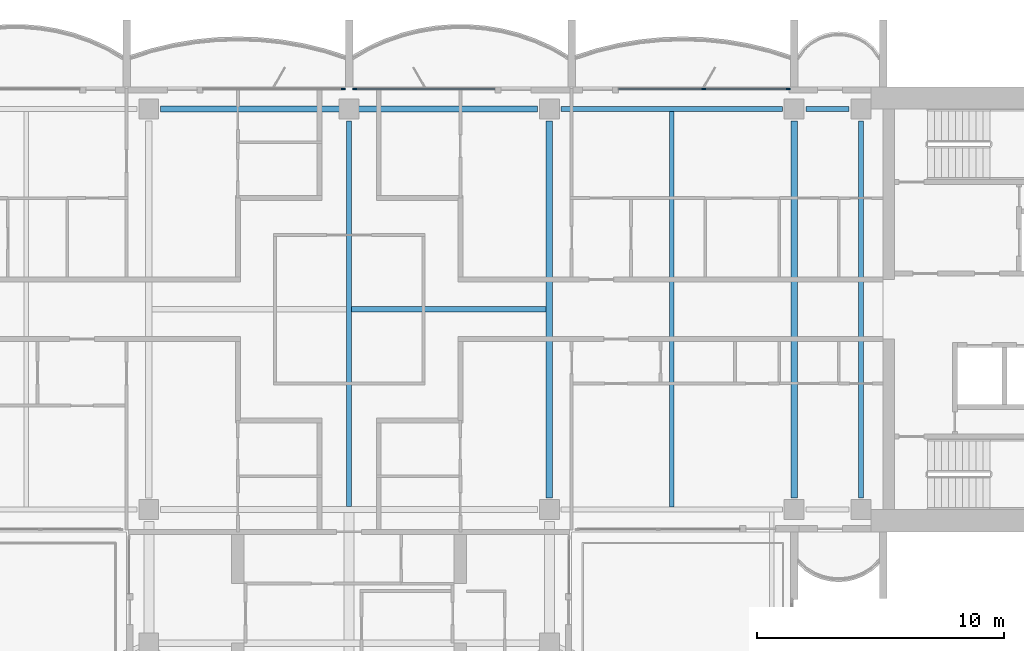
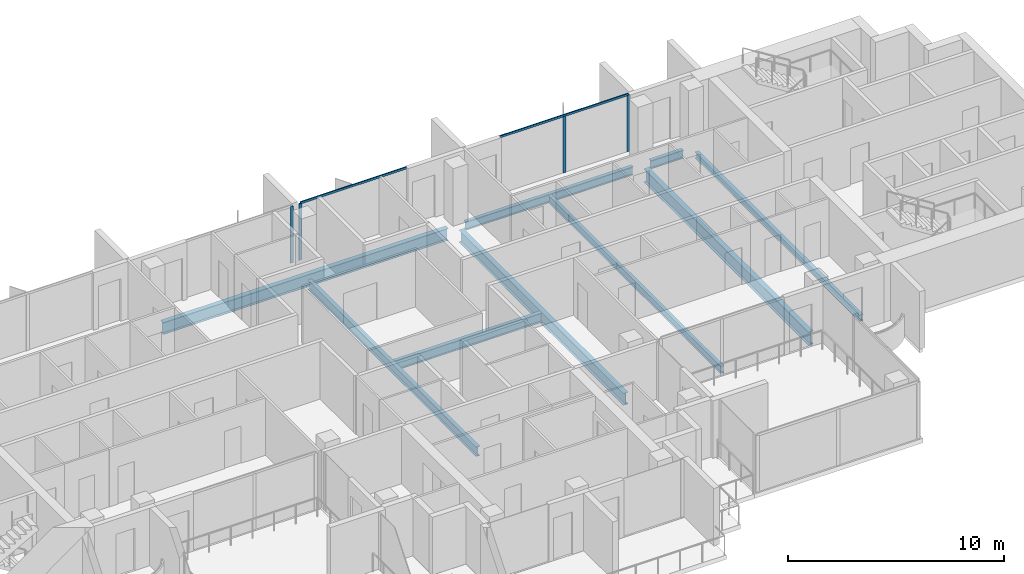
# One storey, part 4 of 16: 9 beams, 6 members, 3 elements without a shape of their own.
"""IFC4 building model written with IfcOpenShell, lengths in metres."""

from ifc_helpers import new_model, si_unit, direction, frame, origin, origin_2d, place, context, subcontext, project, spatial, rectangle, i_section, extrude, material, material_profile, profile_set, type_object, element, aggregate, save


model = new_model("IFC4")

# Units and contexts
model_context = context("Model", 3, precision=1e-05, world=origin(), true_north=direction((0.0, 1.0)))
body_context = subcontext(model_context, "Body", "Model", "MODEL_VIEW")
ifc_project = project(units=[si_unit("LENGTHUNIT", "METRE"), si_unit("AREAUNIT", "SQUARE_METRE"), si_unit("VOLUMEUNIT", "CUBIC_METRE"), si_unit("PLANEANGLEUNIT", "RADIAN"), si_unit("MASSUNIT", "GRAM", prefix="KILO")], contexts=[model_context])

# Site, building, storey
site_placement = place(None, origin())
site = spatial("IfcSite", under=ifc_project, at=site_placement, CompositionType="ELEMENT")
building_placement = place(site_placement, origin())
building = spatial("IfcBuilding", under=site, at=building_placement, Name="Perihelion Cross Residences", CompositionType="ELEMENT")
storey_placement = place(building_placement, frame((0.0, 0.0, 232.5)))
storey = spatial("IfcBuildingStorey", under=building, at=storey_placement, Name="L58", CompositionType="ELEMENT", Elevation=232.5)

# Curtain wall, members
ifc_material_1 = material(Name="Bronze anodised aluminium, tinted glazing", Category="aluminium")
curtain_wall_type = type_object("IfcCurtainWallType", Name="CW1", PredefinedType="NOTDEFINED", material=ifc_material_1)
curtain_wall_1_placement = place(storey_placement, origin())
curtain_wall_1 = element("IfcCurtainWall", 1, at=curtain_wall_1_placement, inside=storey, type_object=curtain_wall_type, Name="Curtain wall CW1 L58 east side north bay 2", PredefinedType="NOTDEFINED")
ifc_material_2 = material(Name="Bronze anodised aluminium", Category="aluminium")
ifc_material_profile_1 = material_profile(ifc_material_2, rectangle(XDim=0.06005859375, YDim=0.159912109375, at=origin_2d()), Name="CW1 mullion")
ifc_profile_set_1 = profile_set([ifc_material_profile_1], Name="Bronze anodised aluminium")
member_type_1 = type_object("IfcMemberType", Name="CW1 mullion", PredefinedType="MULLION", material=ifc_profile_set_1)
member_1_placement = place(storey_placement, frame((17.77001953125, 8.89990234375, 0.0), z_axis=(0.0, 0.0, 1.0), x_axis=(0.0, -1.0, 0.0)))
member_1 = element("IfcMember", 2, at=member_1_placement, type_object=member_type_1, Name="CW1 mullion 1", PredefinedType="MULLION", context=body_context, shape_type="SweptSolid", body=[
    extrude(rectangle(XDim=0.06005859375, YDim=0.159912109375, at=origin_2d()), origin(), (0.0, 0.0, 1.0), 3.18994140625),
])
member_2_placement = place(storey_placement, frame((14.35009765625, 8.89990234375, 0.0), z_axis=(0.0, 0.0, 1.0), x_axis=(0.0, -1.0, 0.0)))
member_2 = element("IfcMember", 3, at=member_2_placement, type_object=member_type_1, Name="CW1 mullion 2", PredefinedType="MULLION", context=body_context, shape_type="SweptSolid", body=[
    extrude(rectangle(XDim=0.06005859375, YDim=0.159912109375, at=origin_2d()), origin(), (0.0, 0.0, 1.0), 3.18994140625),
])

# Curtain wall, member
curtain_wall_2_placement = place(storey_placement, origin())
curtain_wall_2 = element("IfcCurtainWall", 4, at=curtain_wall_2_placement, inside=storey, type_object=curtain_wall_type, Name="Curtain wall CW1 L58 north side east bay 1", PredefinedType="NOTDEFINED")
member_3_placement = place(storey_placement, frame((0.22998046875, 8.89990234375, 0.0), z_axis=(0.0, 0.0, 1.0), x_axis=(0.0, -1.0, 0.0)))
member_3 = element("IfcMember", 5, at=member_3_placement, type_object=member_type_1, Name="CW1 mullion 2", PredefinedType="MULLION", context=body_context, shape_type="SweptSolid", body=[
    extrude(rectangle(XDim=0.06005859375, YDim=0.159912109375, at=origin_2d()), origin(), (0.0, 0.0, 1.0), 3.18994140625),
])

curtain_wall_3_placement = place(storey_placement, origin())
curtain_wall_3 = element("IfcCurtainWall", 6, at=curtain_wall_3_placement, inside=storey, type_object=curtain_wall_type, Name="Curtain wall CW1 L58 north side east bay 2", PredefinedType="NOTDEFINED")
member_4_placement = place(storey_placement, frame((-0.22998046875, 8.89990234375, 0.0), z_axis=(0.0, 0.0, 1.0), x_axis=(0.0, -1.0, 0.0)))
member_4 = element("IfcMember", 7, at=member_4_placement, type_object=member_type_1, Name="CW1 mullion 1", PredefinedType="MULLION", context=body_context, shape_type="SweptSolid", body=[
    extrude(rectangle(XDim=0.06005859375, YDim=0.159912109375, at=origin_2d()), origin(), (0.0, 0.0, 1.0), 3.18994140625),
])
aggregate(curtain_wall_3, [member_4])

# Member
ifc_material_3 = material(Name="Bronze anodised aluminium", Category="aluminium")
ifc_material_profile_2 = material_profile(ifc_material_3, rectangle(XDim=0.06005859375, YDim=0.1201171875, at=origin_2d()), Name="CW1 transom")
ifc_profile_set_2 = profile_set([ifc_material_profile_2], Name="Bronze anodised aluminium")
member_type_2 = type_object("IfcMemberType", Name="CW1 transom", PredefinedType="USERDEFINED", material=ifc_profile_set_2)
member_5_placement = place(storey_placement, frame((17.77001953125, 8.89990234375, 3.219970703125), z_axis=(-1.0, 0.0, 0.0), x_axis=(0.0, -1.0, 0.0)))
member_5 = element("IfcMember", 8, at=member_5_placement, type_object=member_type_2, Name="CW1 head transom", ObjectType="TRANSOM", PredefinedType="USERDEFINED", context=body_context, shape_type="SweptSolid", body=[
    extrude(rectangle(XDim=0.06005859375, YDim=0.1201171875, at=origin_2d()), origin(), (0.0, 0.0, 1.0), 6.8701171875),
])

aggregate(curtain_wall_1, [member_1, member_2, member_5])

member_6_placement = place(storey_placement, frame((5.89990234375, 8.89990234375, 3.219970703125), z_axis=(-1.0, 0.0, 0.0), x_axis=(0.0, -1.0, 0.0)))
member_6 = element("IfcMember", 9, at=member_6_placement, type_object=member_type_2, Name="CW1 head transom", ObjectType="TRANSOM", PredefinedType="USERDEFINED", context=body_context, shape_type="SweptSolid", body=[
    extrude(rectangle(XDim=0.06005859375, YDim=0.1201171875, at=origin_2d()), origin(), (0.0, 0.0, 1.0), 5.669921875),
])

aggregate(curtain_wall_2, [member_3, member_6])

# Beams
ifc_material_4 = material(Name="Steel S355", Category="steel")
ifc_material_profile_3 = material_profile(ifc_material_4, i_section(OverallWidth=0.205078125, OverallDepth=0.35302734375, WebThickness=0.009521484375, FlangeThickness=0.016845703125, at=origin_2d()), Name="W360x79")
ifc_profile_set_3 = profile_set([ifc_material_profile_3], Name="Steel S355")
beam_type_1 = type_object("IfcBeamType", Name="Core edge beam W360x79", PredefinedType="BEAM", material=ifc_profile_set_3)
beam_1_placement = place(storey_placement, frame((20.699951171875, -7.625, -0.426513671875), z_axis=(0.0, 1.0, 0.0), x_axis=(-1.0, 0.0, 0.0)))
element("IfcBeam", 10, at=beam_1_placement, inside=storey, type_object=beam_type_1, Name="Core edge beam TB7 L58 no. 2", PredefinedType="BEAM", context=body_context, shape_type="SweptSolid", body=[
    extrude(i_section(OverallWidth=0.205078125, OverallDepth=0.35302734375, WebThickness=0.009521484375, FlangeThickness=0.016845703125, at=origin_2d()), origin(), (0.0, 0.0, 1.0), 15.25),
])
ifc_material_5 = material(Name="Steel S355", Category="steel")
ifc_material_profile_4 = material_profile(ifc_material_5, i_section(OverallWidth=0.194091796875, OverallDepth=0.469970703125, WebThickness=0.0126953125, FlangeThickness=0.0205078125, at=origin_2d()), Name="W460x106")
ifc_profile_set_4 = profile_set([ifc_material_profile_4], Name="Steel S355")
beam_type_2 = type_object("IfcBeamType", Name="Edge beam W460x106", PredefinedType="SPANDREL", material=ifc_profile_set_4)
beam_2_placement = place(storey_placement, frame((20.22509765625, 8.10009765625, -0.485107421875), z_axis=(-1.0, 0.0, 0.0), x_axis=(0.0, -1.0, 0.0)))
element("IfcBeam", 11, at=beam_2_placement, inside=storey, type_object=beam_type_2, Name="Edge beam SB5 L58 no. 7", PredefinedType="SPANDREL", context=body_context, shape_type="SweptSolid", body=[
    extrude(i_section(OverallWidth=0.194091796875, OverallDepth=0.469970703125, WebThickness=0.0126953125, FlangeThickness=0.0205078125, at=origin_2d()), origin(), (0.0, 0.0, 1.0), 1.75),
])
beam_3_placement = place(storey_placement, frame((17.52490234375, 8.10009765625, -0.485107421875), z_axis=(-1.0, 0.0, 0.0), x_axis=(0.0, -1.0, 0.0)))
element("IfcBeam", 12, at=beam_3_placement, inside=storey, type_object=beam_type_2, Name="Edge beam SB5 L58 no. 6", PredefinedType="SPANDREL", context=body_context, shape_type="SweptSolid", body=[
    extrude(i_section(OverallWidth=0.194091796875, OverallDepth=0.469970703125, WebThickness=0.0126953125, FlangeThickness=0.0205078125, at=origin_2d()), origin(), (0.0, 0.0, 1.0), 8.949951171875),
])
ifc_material_6 = material(Name="Steel S355", Category="steel")
ifc_material_profile_5 = material_profile(ifc_material_6, i_section(OverallWidth=0.26708984375, OverallDepth=0.75390625, WebThickness=0.01318359375, FlangeThickness=0.01708984375, at=origin_2d()), Name="W760x147")
ifc_profile_set_5 = profile_set([ifc_material_profile_5], Name="Steel S355")
beam_type_3 = type_object("IfcBeamType", Name="Floor girder W760x147", PredefinedType="BEAM", material=ifc_profile_set_5)
beam_4_placement = place(storey_placement, frame((18.0, -7.625, -0.626953125), z_axis=(0.0, 1.0, 0.0), x_axis=(-1.0, 0.0, 0.0)))
element("IfcBeam", 13, at=beam_4_placement, inside=storey, type_object=beam_type_3, Name="Girder G5 L58 no. 2", PredefinedType="BEAM", context=body_context, shape_type="SweptSolid", body=[
    extrude(i_section(OverallWidth=0.26708984375, OverallDepth=0.75390625, WebThickness=0.01318359375, FlangeThickness=0.01708984375, at=origin_2d()), origin(), (0.0, 0.0, 1.0), 15.25),
])
ifc_material_7 = material(Name="Steel S355", Category="steel")
ifc_material_profile_6 = material_profile(ifc_material_7, i_section(OverallWidth=0.177978515625, OverallDepth=0.406005859375, WebThickness=0.0078125, FlangeThickness=0.0126953125, at=origin_2d()), Name="W410x60")
ifc_profile_set_6 = profile_set([ifc_material_profile_6], Name="Steel S355")
beam_type_4 = type_object("IfcBeamType", Name="Floor joist W410x60", PredefinedType="JOIST", material=ifc_profile_set_6)
beam_5_placement = place(storey_placement, frame((13.050048828125, -8.0029296875, -0.452880859375), z_axis=(0.0, 1.0, 0.0), x_axis=(-1.0, 0.0, 0.0)))
element("IfcBeam", 14, at=beam_5_placement, inside=storey, type_object=beam_type_4, Name="Joist J6 L58 no. 2", PredefinedType="JOIST", context=body_context, shape_type="SweptSolid", body=[
    extrude(i_section(OverallWidth=0.177978515625, OverallDepth=0.406005859375, WebThickness=0.0078125, FlangeThickness=0.0126953125, at=origin_2d()), origin(), (0.0, 0.0, 1.0), 16.005859375),
])
ifc_material_8 = material(Name="Steel S355", Category="steel")
ifc_material_profile_7 = material_profile(ifc_material_8, i_section(OverallWidth=0.208984375, OverallDepth=0.532958984375, WebThickness=0.01025390625, FlangeThickness=0.015625, at=origin_2d()), Name="W530x92")
ifc_profile_set_7 = profile_set([ifc_material_profile_7], Name="Steel S355")
beam_type_5 = type_object("IfcBeamType", Name="Hub cross beam W530x92", PredefinedType="BEAM", material=ifc_profile_set_7)
beam_6_placement = place(storey_placement, frame((0.0, -7.972900390625, -0.5166015625), z_axis=(0.0, 1.0, 0.0), x_axis=(-1.0, 0.0, 0.0)))
element("IfcBeam", 15, at=beam_6_placement, inside=storey, type_object=beam_type_5, Name="Hub cross beam XB5 L58 no. 1", PredefinedType="BEAM", context=body_context, shape_type="SweptSolid", body=[
    extrude(i_section(OverallWidth=0.208984375, OverallDepth=0.532958984375, WebThickness=0.01025390625, FlangeThickness=0.015625, at=origin_2d()), origin(), (0.0, 0.0, 1.0), 15.597900390625),
])
beam_7_placement = place(storey_placement, frame((0.1044921875, 0.0, -0.5166015625), z_axis=(1.0, 0.0, 0.0), x_axis=(0.0, 1.0, 0.0)))
element("IfcBeam", 16, at=beam_7_placement, inside=storey, type_object=beam_type_5, Name="Hub cross beam XB5 L58 2 no. 1", PredefinedType="BEAM", context=body_context, shape_type="SweptSolid", body=[
    extrude(i_section(OverallWidth=0.208984375, OverallDepth=0.532958984375, WebThickness=0.01025390625, FlangeThickness=0.015625, at=origin_2d()), origin(), (0.0, 0.0, 1.0), 7.868408203125),
])
ifc_material_9 = material(Name="Steel S355", Category="steel")
ifc_material_profile_8 = material_profile(ifc_material_9, i_section(OverallWidth=0.25390625, OverallDepth=0.677978515625, WebThickness=0.01171875, FlangeThickness=0.016357421875, at=origin_2d()), Name="W690x125")
ifc_profile_set_8 = profile_set([ifc_material_profile_8], Name="Steel S355")
beam_type_6 = type_object("IfcBeamType", Name="Hub ring girder W690x125", PredefinedType="BEAM", material=ifc_profile_set_8)
for number, where, z_axis, x_axis, name in (
    (17, (8.10009765625, -7.625, -0.589111328125), (0.0, 1.0, 0.0), (-1.0, 0.0, 0.0), "Hub ring girder RG5 L58 no. 3"),
    (18, (7.625, 8.10009765625, -0.589111328125), (-1.0, 0.0, 0.0), (0.0, -1.0, 0.0), "Hub ring girder RG5 L58 no. 4"),
):
    element("IfcBeam", number, at=place(storey_placement, frame(where, z_axis=z_axis, x_axis=x_axis)), inside=storey, type_object=beam_type_6, Name=name, PredefinedType="BEAM", context=body_context, shape_type="SweptSolid", body=[
        extrude(i_section(OverallWidth=0.25390625, OverallDepth=0.677978515625, WebThickness=0.01171875, FlangeThickness=0.016357421875, at=origin_2d()), origin(), (0.0, 0.0, 1.0), 15.25),
    ])

save(model, "model.ifc")
